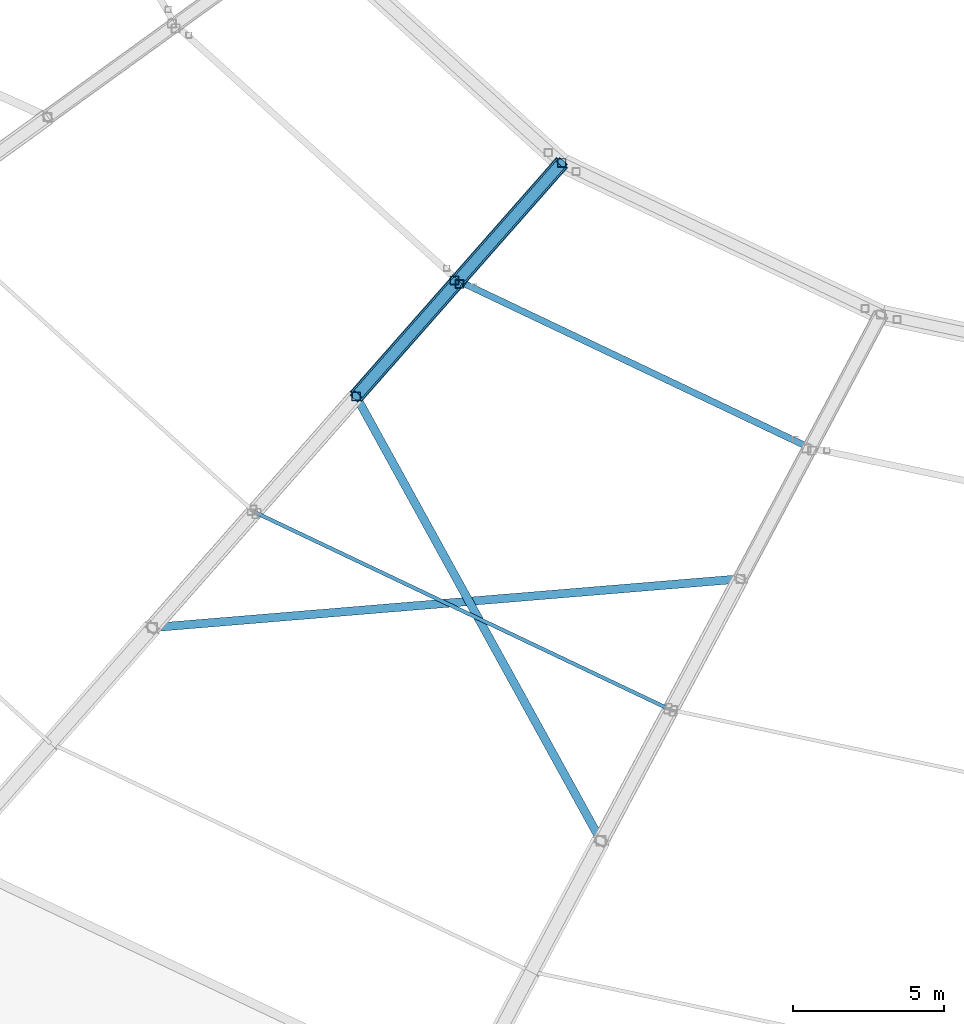
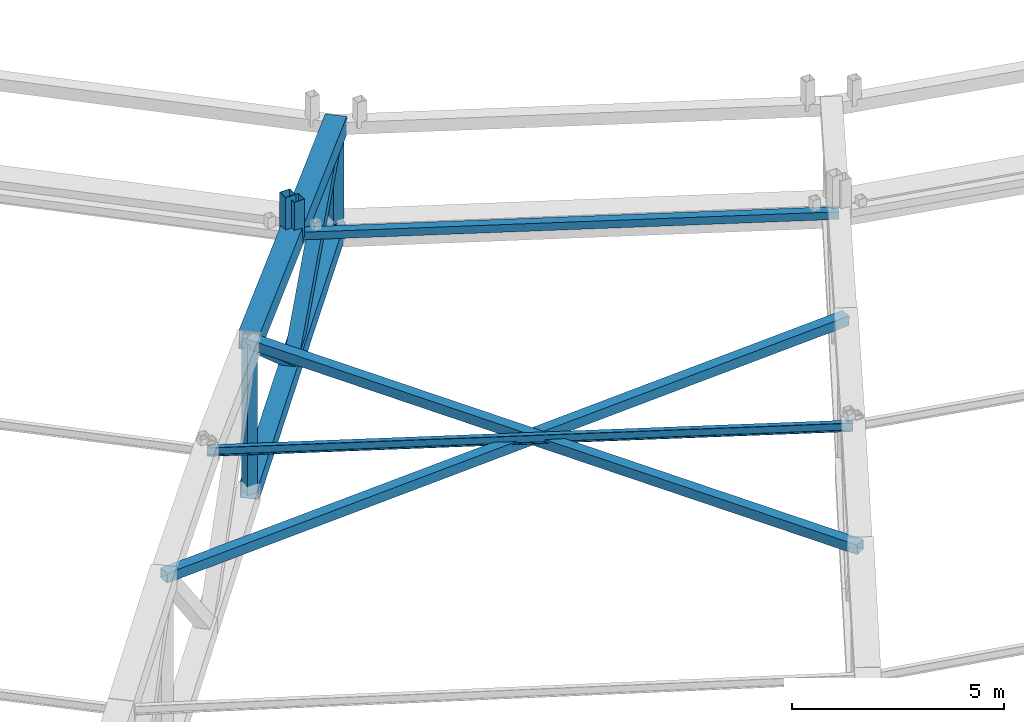
# One storey, part 22 of 162: 14 members.
"""IFC4 building model written with IfcOpenShell, lengths in metres."""

from ifc_helpers import new_model, si_unit, direction, frame, origin, origin_2d, place, context, subcontext, project, spatial, hollow_rectangle, i_section, extrude, material, material_profile, profile_set, type_object, element, save


model = new_model("IFC4")

# Units and contexts
model_context = context("Model", 3, precision=1e-05, world=origin(), true_north=direction((0.0, 1.0)))
body_context = subcontext(model_context, "Body", "Model", "MODEL_VIEW")
ifc_project = project(units=[si_unit("LENGTHUNIT", "METRE"), si_unit("AREAUNIT", "SQUARE_METRE"), si_unit("VOLUMEUNIT", "CUBIC_METRE"), si_unit("PLANEANGLEUNIT", "RADIAN"), si_unit("MASSUNIT", "GRAM", prefix="KILO")], contexts=[model_context])

# Site, building, storey
site_placement = place(None, origin())
site = spatial("IfcSite", under=ifc_project, at=site_placement, CompositionType="ELEMENT")
building_placement = place(site_placement, origin())
building = spatial("IfcBuilding", under=site, at=building_placement, Name="Kazemori Nagisa Stadium", CompositionType="ELEMENT")
storey_placement = place(building_placement, frame((0.0, 0.0, 36.719970703125)))
storey = spatial("IfcBuildingStorey", under=building, at=storey_placement, Name="RF", CompositionType="ELEMENT", Elevation=36.719970703125)

# Members
ifc_material_1 = material(Name="Steel STKR490", Category="steel")
ifc_material_profile_1 = material_profile(ifc_material_1, hollow_rectangle(XDim=0.280029296875, YDim=0.280029296875, WallThickness=0.010009765625, at=origin_2d()), Name="SHS-280x280x10")
ifc_profile_set_1 = profile_set([ifc_material_profile_1], Name="Steel STKR490")
member_type_1 = type_object("IfcMemberType", Name="Member_ST-SHS280", PredefinedType="STUD", material=ifc_profile_set_1)
member_1_placement = place(storey_placement, frame((85.94775390625, 60.08642578125, 5.784912109375), z_axis=(0.0, 0.0, 1.0), x_axis=(1.0, 0.0, 0.0)))
element("IfcMember", 1, at=member_1_placement, inside=storey, type_object=member_type_1, Name="Canopy bearing stool B18-inner-3", PredefinedType="STUD", context=body_context, shape_type="SweptSolid", body=[
    extrude(hollow_rectangle(XDim=0.280029296875, YDim=0.280029296875, WallThickness=0.010009765625, at=origin_2d()), origin(), (0.0, 0.0, 1.0), 1.2021484375),
])
member_2_placement = place(storey_placement, frame((86.115234375, 59.965087890625, 5.784912109375), z_axis=(0.0, 0.0, 1.0), x_axis=(1.0, 0.0, 0.0)))
element("IfcMember", 2, at=member_2_placement, inside=storey, type_object=member_type_1, Name="Canopy bearing stool B19-inner-4", PredefinedType="STUD", context=body_context, shape_type="SweptSolid", body=[
    extrude(hollow_rectangle(XDim=0.280029296875, YDim=0.280029296875, WallThickness=0.010009765625, at=origin_2d()), origin(), (0.0, 0.0, 1.0), 1.087158203125),
])
ifc_material_profile_2 = material_profile(ifc_material_1, hollow_rectangle(XDim=0.280029296875, YDim=0.280029296875, WallThickness=0.010009765625, at=origin_2d()), Name="SHS-280x280x10")
ifc_profile_set_2 = profile_set([ifc_material_profile_2], Name="Steel STKR490")
member_type_2 = type_object("IfcMemberType", Name="Member_TB-SHS280", PredefinedType="BRACE", material=ifc_profile_set_2)
member_3_placement = place(storey_placement, frame((75.92626953125, 48.563720703125, 6.47314453125), z_axis=(0.99638447013, 0.082600787582, -0.019877061504), x_axis=(-0.082617110104, 0.99658136302, 0.0)))
element("IfcMember", 3, at=member_3_placement, inside=storey, type_object=member_type_2, Name="Roof space truss plan brace B19-1", PredefinedType="BRACE", context=body_context, shape_type="SweptSolid", body=[
    extrude(hollow_rectangle(XDim=0.280029296875, YDim=0.280029296875, WallThickness=0.010009765625, at=origin_2d()), origin(), (0.0, 0.0, 1.0), 19.578369140625),
])
member_4_placement = place(storey_placement, frame((90.810791015625, 41.490966796875, 6.369140625), z_axis=(-0.482486515923, 0.875856213609, -0.009091481457), x_axis=(-0.875892412816, -0.482506457129, 0.0)))
element("IfcMember", 4, at=member_4_placement, inside=storey, type_object=member_type_2, Name="Roof space truss plan brace B19-2", PredefinedType="BRACE", context=body_context, shape_type="SweptSolid", body=[
    extrude(hollow_rectangle(XDim=0.280029296875, YDim=0.280029296875, WallThickness=0.010009765625, at=origin_2d()), origin(), (0.0, 0.0, 1.0), 16.83740234375),
])
ifc_material_profile_3 = material_profile(ifc_material_1, hollow_rectangle(XDim=0.360107421875, YDim=0.360107421875, WallThickness=0.013916015625, at=origin_2d()), Name="SHS-360x360x14")
ifc_profile_set_3 = profile_set([ifc_material_profile_3], Name="Steel STKR490")
member_type_3 = type_object("IfcMemberType", Name="Member_TB-SHS360", PredefinedType="BRACE", material=ifc_profile_set_3)
member_5_placement = place(storey_placement, frame((82.68701171875, 56.238037109375, 6.216064453125), z_axis=(0.517437015412, 0.587400330172, -0.622269866855), x_axis=(-0.750380984059, 0.661005581491, 0.0)))
element("IfcMember", 5, at=member_5_placement, inside=storey, type_object=member_type_3, Name="Roof space truss diagonal RT-19-8", PredefinedType="BRACE", context=body_context, shape_type="SweptSolid", body=[
    extrude(hollow_rectangle(XDim=0.360107421875, YDim=0.360107421875, WallThickness=0.013916015625, at=origin_2d()), origin(), (0.0, 0.0, 1.0), 6.532470703125),
])
member_6_placement = place(storey_placement, frame((86.067138671875, 60.0751953125, 2.151123046875), z_axis=(0.563076083874, 0.639180396445, 0.523826063278), x_axis=(-0.750365637708, 0.661023002434, 0.0)))
element("IfcMember", 6, at=member_6_placement, inside=storey, type_object=member_type_3, Name="Roof space truss diagonal RT-19-9", PredefinedType="BRACE", context=body_context, shape_type="SweptSolid", body=[
    extrude(hollow_rectangle(XDim=0.360107421875, YDim=0.360107421875, WallThickness=0.013916015625, at=origin_2d()), origin(), (0.0, 0.0, 1.0), 6.114501953125),
])
ifc_material_profile_4 = material_profile(ifc_material_1, hollow_rectangle(XDim=0.4599609375, YDim=0.4599609375, WallThickness=0.01611328125, at=origin_2d()), Name="SHS-460x460x16")
ifc_profile_set_4 = profile_set([ifc_material_profile_4], Name="Steel STKR490")
member_type_4 = type_object("IfcMemberType", Name="Member_TC-SHS460", PredefinedType="CHORD", material=ifc_profile_set_4)
member_7_placement = place(storey_placement, frame((82.68701171875, 56.238037109375, 1.888916015625), z_axis=(0.660138314827, 0.749396453169, 0.051208996036), x_axis=(-0.750380984059, 0.661005581491, 0.0)))
element("IfcMember", 7, at=member_7_placement, inside=storey, type_object=member_type_4, Name="Roof space truss bottom chord RT-19-8", PredefinedType="CHORD", context=body_context, shape_type="SweptSolid", body=[
    extrude(hollow_rectangle(XDim=0.4599609375, YDim=0.4599609375, WallThickness=0.01611328125, at=origin_2d()), origin(), (0.0, 0.0, 1.0), 5.120361328125),
])
member_8_placement = place(storey_placement, frame((86.067138671875, 60.0751953125, 2.151123046875), z_axis=(0.660423770143, 0.749685414299, 0.042570217491), x_axis=(-0.750365637708, 0.661023002434, 0.0)))
element("IfcMember", 8, at=member_8_placement, inside=storey, type_object=member_type_4, Name="Roof space truss bottom chord RT-19-9", PredefinedType="CHORD", context=body_context, shape_type="SweptSolid", body=[
    extrude(hollow_rectangle(XDim=0.4599609375, YDim=0.4599609375, WallThickness=0.01611328125, at=origin_2d()), origin(), (0.0, 0.0, 1.0), 5.213134765625),
])
ifc_material_profile_5 = material_profile(ifc_material_1, hollow_rectangle(XDim=0.52001953125, YDim=0.52001953125, WallThickness=0.01904296875, at=origin_2d()), Name="SHS-520x520x19")
ifc_profile_set_5 = profile_set([ifc_material_profile_5], Name="Steel STKR490")
member_type_5 = type_object("IfcMemberType", Name="Member_TC-SHS520", PredefinedType="CHORD", material=ifc_profile_set_5)
member_9_placement = place(storey_placement, frame((82.68701171875, 56.238037109375, 6.216064453125), z_axis=(0.658668505475, 0.747727909032, -0.08401650998), x_axis=(-0.750380984059, 0.661005581491, 0.0)))
element("IfcMember", 9, at=member_9_placement, inside=storey, type_object=member_type_5, Name="Roof space truss top chord RT-19-8", PredefinedType="CHORD", context=body_context, shape_type="SweptSolid", body=[
    extrude(hollow_rectangle(XDim=0.52001953125, YDim=0.52001953125, WallThickness=0.01904296875, at=origin_2d()), origin(), (0.0, 0.0, 1.0), 5.1318359375),
])
member_10_placement = place(storey_placement, frame((86.067138671875, 60.0751953125, 5.784912109375), z_axis=(0.658772263164, 0.74781069272, -0.08245164122), x_axis=(-0.750365637708, 0.661023002434, 0.0)))
element("IfcMember", 10, at=member_10_placement, inside=storey, type_object=member_type_5, Name="Roof space truss top chord RT-19-9", PredefinedType="CHORD", context=body_context, shape_type="SweptSolid", body=[
    extrude(hollow_rectangle(XDim=0.52001953125, YDim=0.52001953125, WallThickness=0.01904296875, at=origin_2d()), origin(), (0.0, 0.0, 1.0), 5.22607421875),
])
ifc_material_2 = material(Name="Steel SN490B", Category="steel")
ifc_material_profile_6 = material_profile(ifc_material_2, i_section(OverallWidth=0.125, OverallDepth=0.25, WebThickness=0.006103515625, FlangeThickness=0.009033203125, FilletRadius=0.008056640625, at=origin_2d()), Name="H-250x125x6x9")
ifc_profile_set_6 = profile_set([ifc_material_profile_6], Name="Steel SN490B")
member_type_6 = type_object("IfcMemberType", Name="Member_TP-H250", PredefinedType="PURLIN", material=ifc_profile_set_6)
member_11_placement = place(storey_placement, frame((79.306640625, 52.40087890625, 6.55712890625), z_axis=(0.903177909934, -0.429172701375, -0.008969693498), x_axis=(0.429189967048, 0.903214244897, 0.0)))
element("IfcMember", 11, at=member_11_placement, inside=storey, type_object=member_type_6, Name="Roof purlin TP-H250 B19-P6", PredefinedType="PURLIN", context=body_context, shape_type="SweptSolid", body=[
    extrude(i_section(OverallWidth=0.125, OverallDepth=0.25, WebThickness=0.006103515625, FlangeThickness=0.009033203125, FilletRadius=0.008056640625, at=origin_2d()), origin(), (0.0, 0.0, 1.0), 15.296630859375),
])
ifc_material_profile_7 = material_profile(ifc_material_1, hollow_rectangle(XDim=0.219970703125, YDim=0.219970703125, WallThickness=0.009033203125, at=origin_2d()), Name="SHS-220x220x9")
ifc_profile_set_7 = profile_set([ifc_material_profile_7], Name="Steel STKR490")
member_type_7 = type_object("IfcMemberType", Name="Member_TP-SHS220", PredefinedType="PURLIN", material=ifc_profile_set_7)
member_12_placement = place(storey_placement, frame((86.067138671875, 60.0751953125, 5.784912109375), z_axis=(0.903175834044, -0.429165712625, -0.009497573736), x_axis=(0.429185070146, 0.903216571794, 0.0)))
element("IfcMember", 12, at=member_12_placement, inside=storey, type_object=member_type_7, Name="Roof purlin TP-SHS220 B19-P8", PredefinedType="PURLIN", context=body_context, shape_type="SweptSolid", body=[
    extrude(hollow_rectangle(XDim=0.219970703125, YDim=0.219970703125, WallThickness=0.009033203125, at=origin_2d()), origin(), (0.0, 0.0, 1.0), 12.929931640625),
])
ifc_material_profile_8 = material_profile(ifc_material_1, hollow_rectangle(XDim=0.280029296875, YDim=0.280029296875, WallThickness=0.010009765625, at=origin_2d()), Name="SHS-280x280x10")
ifc_profile_set_8 = profile_set([ifc_material_profile_8], Name="Steel STKR490")
member_type_8 = type_object("IfcMemberType", Name="Member_TS-SHS280", PredefinedType="STRUT", material=ifc_profile_set_8)
member_13_placement = place(storey_placement, frame((82.68701171875, 56.238037109375, 1.888916015625), z_axis=(0.0, 0.0, 1.0), x_axis=(1.0, 0.0, 0.0)))
element("IfcMember", 13, at=member_13_placement, inside=storey, type_object=member_type_8, Name="Roof space truss strut RT-19-8", PredefinedType="STRUT", context=body_context, shape_type="SweptSolid", body=[
    extrude(hollow_rectangle(XDim=0.280029296875, YDim=0.280029296875, WallThickness=0.010009765625, at=origin_2d()), origin(), (0.0, 0.0, 1.0), 4.3271484375),
])
member_14_placement = place(storey_placement, frame((89.510009765625, 63.9833984375, 2.373046875), z_axis=(0.0, 0.0, 1.0), x_axis=(1.0, 0.0, 0.0)))
element("IfcMember", 14, at=member_14_placement, inside=storey, type_object=member_type_8, Name="Roof space truss strut RT-19-10", PredefinedType="STRUT", context=body_context, shape_type="SweptSolid", body=[
    extrude(hollow_rectangle(XDim=0.280029296875, YDim=0.280029296875, WallThickness=0.010009765625, at=origin_2d()), origin(), (0.0, 0.0, 1.0), 2.98095703125),
])

save(model, "model.ifc")
